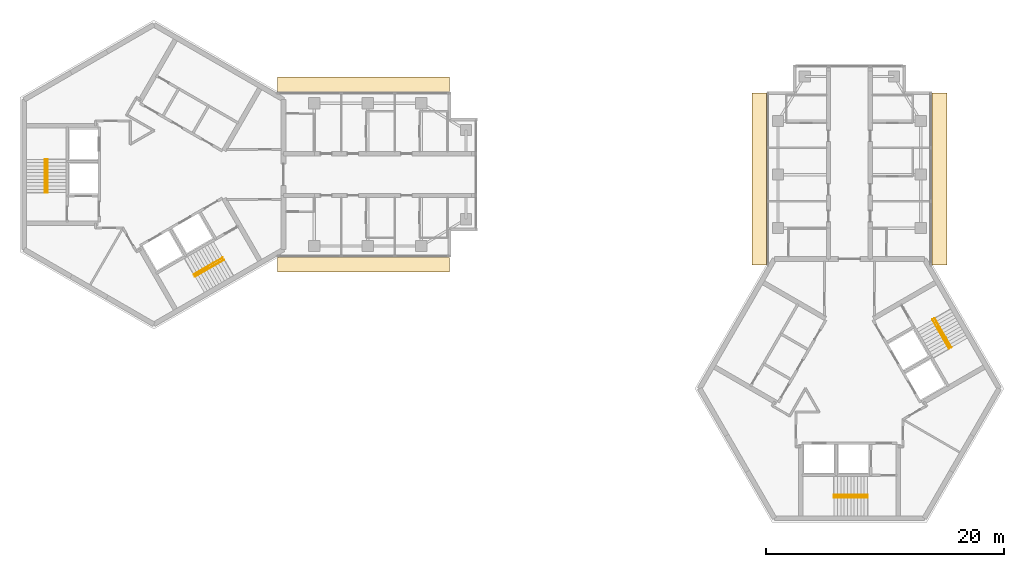
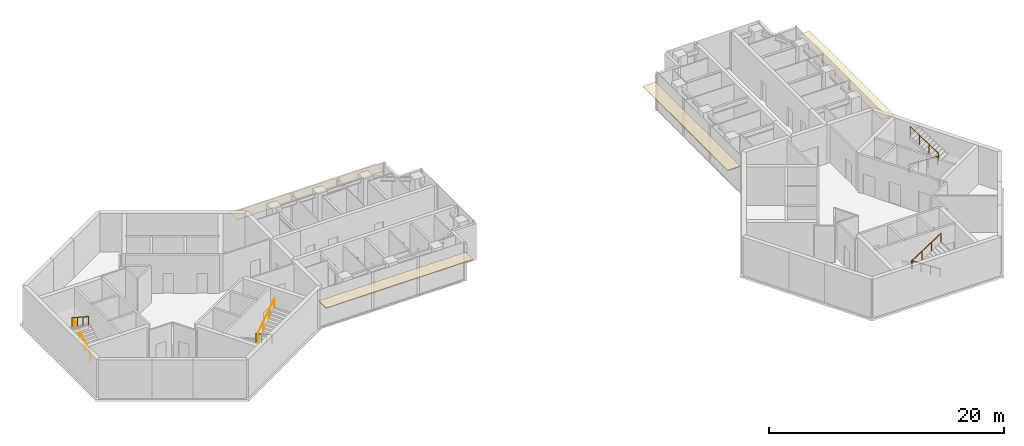
# One storey, part 11 of 11: 8 railings, 4 coverings.
"""IFC4 building model written with IfcOpenShell, lengths in metres."""

import ifcopenshell
import ifcopenshell.guid

model = None  # the IFC model being written
_history = None  # IfcOwnerHistory: only IFC2X3 demands one
_inside = {}  # id of a spatial element -> (the spatial element, [elements in it])
_under = {}  # id of a project, library or spatial element -> (it, [spatial elements below it])
_declared = {}  # id of a project -> (the project, [libraries it declares])
_typed = {}  # id of a type object -> (the type object, [elements of that type])
_made_of = {}  # id of a material, layer set ... -> (it, [elements and type objects made of it])


def new_model(schema):
    """Start an empty IFC model of exactly this schema.

    Asked for "IFC4X3", IfcOpenShell would pick the latest addendum, in which some entities
    have other attributes; the version numbers below select the first issue.
    IFC2X3 requires an IfcOwnerHistory on every rooted entity: one is made here for all.
    """
    global model, _history
    if schema == "IFC4X3":
        model = ifcopenshell.file(schema_version=(4, 3, 0, 0))
    else:
        model = ifcopenshell.file(schema=schema)
    _inside.clear()
    _under.clear()
    _declared.clear()
    _typed.clear()
    _made_of.clear()
    _history = None
    if model.schema == "IFC2X3":
        org = make("IfcOrganization", Name="unknown")
        user = make(
            "IfcPersonAndOrganization",
            ThePerson=make("IfcPerson", FamilyName="unknown"),
            TheOrganization=org,
        )
        app = make(
            "IfcApplication",
            ApplicationDeveloper=org,
            Version="unknown",
            ApplicationFullName="unknown",
            ApplicationIdentifier="unknown",
        )
        _history = make(
            "IfcOwnerHistory",
            OwningUser=user,
            OwningApplication=app,
            ChangeAction="ADDED",
            CreationDate=0,
        )
    return model


def make(cls, **values):
    """One entity of the class cls with the attributes given. An attribute that is None is left unset."""
    return model.create_entity(
        cls, **{name: value for name, value in values.items() if value is not None}
    )


def rooted(cls, **values):
    """An entity with a GlobalId (a new one), such as an element, a storey or a relation."""
    return make(cls, GlobalId=ifcopenshell.guid.new(), OwnerHistory=_history, **values)


def si_unit(unit_type, name, prefix=None):
    """IfcSIUnit, for example si_unit("LENGTHUNIT", "METRE", prefix="MILLI")."""
    return make("IfcSIUnit", UnitType=unit_type, Prefix=prefix, Name=name)


def assignment(units):
    """IfcUnitAssignment: the units of a project."""
    return None if units is None else make("IfcUnitAssignment", Units=units)


def point(xyz):
    """IfcCartesianPoint."""
    return None if xyz is None else make("IfcCartesianPoint", Coordinates=xyz)


def direction(xyz):
    """IfcDirection."""
    return None if xyz is None else make("IfcDirection", DirectionRatios=xyz)


def frame(location, z_axis=None, x_axis=None):
    """IfcAxis2Placement3D, a coordinate frame: its origin and axes. An axis left out is left unset."""
    return make(
        "IfcAxis2Placement3D",
        Location=point(location),
        Axis=direction(z_axis),
        RefDirection=direction(x_axis),
    )


def frame_2d(location, x_axis=None):
    """IfcAxis2Placement2D, a coordinate frame in the plane: its origin and x axis."""
    return make(
        "IfcAxis2Placement2D", Location=point(location), RefDirection=direction(x_axis)
    )


def origin():
    """The frame at (0, 0, 0) with its axes left unset."""
    return frame((0.0, 0.0, 0.0))


def origin_2d():
    """The frame at (0, 0) in the plane with its x axis left unset."""
    return frame_2d((0.0, 0.0))


def place(relative_to, where):
    """IfcLocalPlacement: puts the frame where relative to a parent placement (None: the world)."""
    return make(
        "IfcLocalPlacement", PlacementRelTo=relative_to, RelativePlacement=where
    )


def context(
    kind, dimensions, precision=None, world=None, true_north=None, identifier=None
):
    """IfcGeometricRepresentationContext, for example the 3D "Model" context."""
    return make(
        "IfcGeometricRepresentationContext",
        ContextIdentifier=identifier,
        ContextType=kind,
        CoordinateSpaceDimension=dimensions,
        Precision=precision,
        WorldCoordinateSystem=world,
        TrueNorth=true_north,
    )


def subcontext(parent, identifier, kind, view, scale=None):
    """IfcGeometricRepresentationSubContext, for example "Body" below "Model"."""
    return make(
        "IfcGeometricRepresentationSubContext",
        ContextIdentifier=identifier,
        ContextType=kind,
        ParentContext=parent,
        TargetScale=scale,
        TargetView=view,
    )


def project(units=None, contexts=None):
    """IfcProject with its units and contexts."""
    return rooted(
        "IfcProject",
        Name="project",
        RepresentationContexts=contexts,
        UnitsInContext=assignment(units),
    )


def spatial(cls, under=None, at=None, **own):
    """A site, building, storey or space (cls), placed at a placement, below another one or the project."""
    s = rooted(cls, ObjectPlacement=at, **own)
    if under is not None:
        _under.setdefault(under.id(), (under, []))[1].append(s)
    return s


def profile(cls, at=None, kind="AREA", **sizes):
    """A parametric profile (cls). Its sizes go by their IFC names, for example OverallWidth=200.0."""
    return make(cls, ProfileType=kind, Position=at, **sizes)


def rectangle(**sizes):
    """IfcRectangleProfileDef."""
    return profile("IfcRectangleProfileDef", **sizes)


def circle(**sizes):
    """IfcCircleProfileDef."""
    return profile("IfcCircleProfileDef", **sizes)


def extrude(swept, where, along, depth):
    """IfcExtrudedAreaSolid: the profile swept, set in the frame where, extruded along a direction by depth."""
    return make(
        "IfcExtrudedAreaSolid",
        SweptArea=swept,
        Position=where,
        ExtrudedDirection=direction(along),
        Depth=depth,
    )


def shape(context_of_items, identifier, shape_type, items):
    """IfcShapeRepresentation: the items that make up one representation, for example the "Body"."""
    return make(
        "IfcShapeRepresentation",
        ContextOfItems=context_of_items,
        RepresentationIdentifier=identifier,
        RepresentationType=shape_type,
        Items=items,
    )


def material(Name=None, Category=None):
    """IfcMaterial."""
    return make("IfcMaterial", Name=Name, Category=Category)


def layer(
    of_material, thickness, ventilated=None, Name=None, Category=None, Priority=None
):
    """IfcMaterialLayer: one layer of a wall or slab, of a material (None: an air gap)."""
    return make(
        "IfcMaterialLayer",
        Material=of_material,
        LayerThickness=thickness,
        IsVentilated=ventilated,
        Name=Name,
        Category=Category,
        Priority=Priority,
    )


def layer_set(layers, Name=None):
    """IfcMaterialLayerSet."""
    return make("IfcMaterialLayerSet", MaterialLayers=layers, LayerSetName=Name)


def made_of(thing, what):
    """Note that an element or type object is made of a material, layer set ...; save() writes the relation."""
    if what is not None:
        _made_of.setdefault(what.id(), (what, []))[1].append(thing)
    return thing


def type_object(cls, material=None, **own):
    """A type object (cls), such as IfcWallType, which elements share."""
    return made_of(rooted(cls, **own), material)


def element(
    cls,
    number,
    at=None,
    inside=None,
    cuts=None,
    type_object=None,
    material=None,
    context=None,
    identifier="Body",
    shape_type=None,
    held_by="IfcProductDefinitionShape",
    body=None,
    shapes=None,
    **own,
):
    """One element of the class cls, such as IfcWall. Its Tag is "e" and its number.

    at: its placement. inside: the storey or other place that contains it. cuts: it is an
    opening in that element (IfcRelVoidsElement). A single representation is given by context,
    identifier, shape_type and body (its items); several are given by shapes. held_by: the class
    of the entity that holds the representations. save() writes the other relations.
    """
    e = rooted(cls, Tag="e%d" % number, ObjectPlacement=at, **own)
    if body is not None:
        shapes = [shape(context, identifier, shape_type, body)]
    if shapes is not None:
        e.Representation = make(held_by, Representations=shapes)
    if inside is not None:
        _inside.setdefault(inside.id(), (inside, []))[1].append(e)
    if cuts is not None:
        rooted(
            "IfcRelVoidsElement", RelatingBuildingElement=cuts, RelatedOpeningElement=e
        )
    if type_object is not None:
        _typed.setdefault(type_object.id(), (type_object, []))[1].append(e)
    return made_of(e, material)


def aggregate(whole, parts):
    """IfcRelAggregates: a whole, such as a stair, and the parts it consists of."""
    return rooted("IfcRelAggregates", RelatingObject=whole, RelatedObjects=parts)


def save(model, path):
    """Write the relations noted so far, then the file.

    IfcRelAggregates (storeys below a building ...), IfcRelContainedInSpatialStructure (elements
    in a storey), IfcRelDefinesByType, IfcRelAssociatesMaterial and IfcRelDeclares: one each for
    every whole, place, type object, material and project.
    """
    for whole, parts in _under.values():
        aggregate(whole, parts)
    for where, things in _inside.values():
        rooted(
            "IfcRelContainedInSpatialStructure",
            RelatedElements=things,
            RelatingStructure=where,
        )
    for kind, things in _typed.values():
        rooted("IfcRelDefinesByType", RelatedObjects=things, RelatingType=kind)
    for what, things in _made_of.values():
        rooted("IfcRelAssociatesMaterial", RelatedObjects=things, RelatingMaterial=what)
    for by, libraries in _declared.values():
        rooted("IfcRelDeclares", RelatingContext=by, RelatedDefinitions=libraries)
    model.write(path)


model = new_model("IFC4")

# Units and contexts
model_context = context("Model", 3, precision=1e-05, world=origin(), true_north=direction((0.0, 1.0)))
body_context = subcontext(model_context, "Body", "Model", "MODEL_VIEW")
ifc_project = project(units=[si_unit("LENGTHUNIT", "METRE"), si_unit("AREAUNIT", "SQUARE_METRE"), si_unit("VOLUMEUNIT", "CUBIC_METRE"), si_unit("PLANEANGLEUNIT", "RADIAN"), si_unit("MASSUNIT", "GRAM", prefix="KILO")], contexts=[model_context])

# Site, building, storey
site_placement = place(None, origin())
site = spatial("IfcSite", under=ifc_project, at=site_placement, CompositionType="ELEMENT")
building_placement = place(site_placement, origin())
building = spatial("IfcBuilding", under=site, at=building_placement, Name="Upepo Twin Towers", CompositionType="ELEMENT")
storey_placement = place(building_placement, frame((0.0, 0.0, 283.5)))
storey = spatial("IfcBuildingStorey", under=building, at=storey_placement, Name="L69", CompositionType="ELEMENT", Elevation=283.5)

# Coverings
ifc_material_1 = material(Name="Anodised aluminium, pale silver", Category="aluminium")
ifc_layer = layer(ifc_material_1, 0.080078125)
ifc_layer_set = layer_set([ifc_layer], Name="Brise-soleil blade 1250 pale aluminium")
covering_type = type_object("IfcCoveringType", Name="Brise-soleil blade 1250 pale aluminium", PredefinedType="USERDEFINED", material=ifc_layer_set)
for number, where, z_axis, x_axis, name in (
    (1, (17.61865234375, 7.590087890625, 2.909912109375), (0.0, 0.0, 1.0), (1.0, 0.0, 0.0), "T1 L69 wing A brise-soleil L"),
    (2, (17.61865234375, -7.590087890625, 2.909912109375), (0.0, 0.0, 1.0), (1.0, 0.0, 0.0), "T1 L69 wing A brise-soleil R"),
    (3, (50.909912109375, -0.38134765625, 2.909912109375), (0.0, 0.0, 1.0), (0.0, 1.0, 0.0), "T2 L69 wing A brise-soleil L"),
    (4, (66.090087890625, -0.38134765625, 2.909912109375), (0.0, 0.0, 1.0), (0.0, 1.0, 0.0), "T2 L69 wing A brise-soleil R"),
):
    element("IfcCovering", number, at=place(storey_placement, frame(where, z_axis=z_axis, x_axis=x_axis)), inside=storey, type_object=covering_type, Name=name, ObjectType="SUNSHADE", PredefinedType="USERDEFINED", context=body_context, shape_type="SweptSolid", body=[
        extrude(rectangle(XDim=14.462890625, YDim=1.25, at=origin_2d()), origin(), (0.0, 0.0, 1.0), 0.080078125),
    ])

# Railings
ifc_material_2 = material(Name="Stainless steel", Category="steel")
railing_type = type_object("IfcRailingType", Name="Stair handrail 900", PredefinedType="HANDRAIL", material=ifc_material_2)
railing_1_placement = place(storey_placement, frame((-8.949951171875, -1.52001953125, 0.181884765625)))
element("IfcRailing", 5, at=railing_1_placement, inside=storey, type_object=railing_type, Name="T1 stair S1 L69 handrail 1", PredefinedType="HANDRAIL", context=body_context, shape_type="SweptSolid", body=[
    extrude(circle(Radius=0.02392578125, at=origin_2d()), frame((0.0, 0.0, 0.8759765625), z_axis=(0.0, 0.838705829183, 0.544584733623), x_axis=(-1.0, 0.0, 0.0)), (0.0, 0.0, 1.0), 3.338623046875),
    extrude(circle(Radius=0.02099609375, at=origin_2d()), origin(), (0.0, 0.0, 1.0), 0.851806640625),
    extrude(circle(Radius=0.02099609375, at=origin_2d()), frame((0.0, 0.933349609375, 0.60595703125)), (0.0, 0.0, 1.0), 0.851806640625),
    extrude(circle(Radius=0.02099609375, at=origin_2d()), frame((0.0, 1.86669921875, 1.212158203125)), (0.0, 0.0, 1.0), 0.851806640625),
    extrude(circle(Radius=0.02099609375, at=origin_2d()), frame((0.0, 2.800048828125, 1.818115234375)), (0.0, 0.0, 1.0), 0.851806640625),
])
railing_2_placement = place(storey_placement, frame((-9.158447265625, 1.280029296875, 2.181884765625)))
element("IfcRailing", 6, at=railing_2_placement, inside=storey, type_object=railing_type, Name="T1 stair S1 L69 handrail 2", PredefinedType="HANDRAIL", context=body_context, shape_type="SweptSolid", body=[
    extrude(circle(Radius=0.02392578125, at=origin_2d()), frame((0.0, 0.0, 0.8759765625), z_axis=(0.0, -0.838705829183, 0.544584733623), x_axis=(1.0, 0.0, 0.0)), (0.0, 0.0, 1.0), 3.338623046875),
    extrude(circle(Radius=0.02099609375, at=origin_2d()), origin(), (0.0, 0.0, 1.0), 0.851806640625),
    extrude(circle(Radius=0.02099609375, at=origin_2d()), frame((0.0, -0.933349609375, 0.60595703125)), (0.0, 0.0, 1.0), 0.851806640625),
    extrude(circle(Radius=0.02099609375, at=origin_2d()), frame((0.0, -1.86669921875, 1.212158203125)), (0.0, 0.0, 1.0), 0.851806640625),
    extrude(circle(Radius=0.02099609375, at=origin_2d()), frame((0.0, -2.800048828125, 1.818115234375)), (0.0, 0.0, 1.0), 0.851806640625),
])
railing_3_placement = place(storey_placement, frame((5.791259765625, -6.990966796875, 0.181884765625)))
element("IfcRailing", 7, at=railing_3_placement, inside=storey, type_object=railing_type, Name="T1 stair S2 L69 handrail 1", PredefinedType="HANDRAIL", context=body_context, shape_type="SweptSolid", body=[
    extrude(circle(Radius=0.02392578125, at=origin_2d()), frame((0.0, 0.0, 0.8759765625), z_axis=(-0.726336304947, -0.419332699614, 0.544605966869), x_axis=(0.49998411664, -0.866034573852, 0.0)), (0.0, 0.0, 1.0), 3.33837890625),
    extrude(circle(Radius=0.02099609375, at=origin_2d()), origin(), (0.0, 0.0, 1.0), 0.851806640625),
    extrude(circle(Radius=0.02099609375, at=origin_2d()), frame((-0.808349609375, -0.466552734375, 0.60595703125)), (0.0, 0.0, 1.0), 0.851806640625),
    extrude(circle(Radius=0.02099609375, at=origin_2d()), frame((-1.616455078125, -0.933349609375, 1.212158203125)), (0.0, 0.0, 1.0), 0.851806640625),
    extrude(circle(Radius=0.02099609375, at=origin_2d()), frame((-2.4248046875, -1.39990234375, 1.818115234375)), (0.0, 0.0, 1.0), 0.851806640625),
])
railing_4_placement = place(storey_placement, frame((3.470703125, -8.5712890625, 2.181884765625)))
element("IfcRailing", 8, at=railing_4_placement, inside=storey, type_object=railing_type, Name="T1 stair S2 L69 handrail 2", PredefinedType="HANDRAIL", context=body_context, shape_type="SweptSolid", body=[
    extrude(circle(Radius=0.02392578125, at=origin_2d()), frame((0.0, 0.0, 0.8759765625), z_axis=(0.726336304947, 0.419332699614, 0.544605966869), x_axis=(-0.49998411664, 0.866034573852, 0.0)), (0.0, 0.0, 1.0), 3.33837890625),
    extrude(circle(Radius=0.02099609375, at=origin_2d()), origin(), (0.0, 0.0, 1.0), 0.851806640625),
    extrude(circle(Radius=0.02099609375, at=origin_2d()), frame((0.808349609375, 0.466552734375, 0.60595703125)), (0.0, 0.0, 1.0), 0.851806640625),
    extrude(circle(Radius=0.02099609375, at=origin_2d()), frame((1.616455078125, 0.933349609375, 1.212158203125)), (0.0, 0.0, 1.0), 0.851806640625),
    extrude(circle(Radius=0.02099609375, at=origin_2d()), frame((2.4248046875, 1.39990234375, 1.818115234375)), (0.0, 0.0, 1.0), 0.851806640625),
])
railing_5_placement = place(storey_placement, frame((60.02001953125, -26.949951171875, 0.181884765625)))
element("IfcRailing", 9, at=railing_5_placement, inside=storey, type_object=railing_type, Name="T2 stair S1 L69 handrail 1", PredefinedType="HANDRAIL", context=body_context, shape_type="SweptSolid", body=[
    extrude(circle(Radius=0.02392578125, at=origin_2d()), frame((0.0, 0.0, 0.8759765625), z_axis=(-0.838705829183, 0.0, 0.544584733623), x_axis=(0.0, -1.0, 0.0)), (0.0, 0.0, 1.0), 3.338623046875),
    extrude(circle(Radius=0.02099609375, at=origin_2d()), origin(), (0.0, 0.0, 1.0), 0.851806640625),
    extrude(circle(Radius=0.02099609375, at=origin_2d()), frame((-0.933349609375, 0.0, 0.60595703125)), (0.0, 0.0, 1.0), 0.851806640625),
    extrude(circle(Radius=0.02099609375, at=origin_2d()), frame((-1.86669921875, 0.0, 1.212158203125)), (0.0, 0.0, 1.0), 0.851806640625),
    extrude(circle(Radius=0.02099609375, at=origin_2d()), frame((-2.800048828125, 0.0, 1.818115234375)), (0.0, 0.0, 1.0), 0.851806640625),
])
railing_6_placement = place(storey_placement, frame((57.219970703125, -27.158447265625, 2.181884765625)))
element("IfcRailing", 10, at=railing_6_placement, inside=storey, type_object=railing_type, Name="T2 stair S1 L69 handrail 2", PredefinedType="HANDRAIL", context=body_context, shape_type="SweptSolid", body=[
    extrude(circle(Radius=0.02392578125, at=origin_2d()), frame((0.0, 0.0, 0.8759765625), z_axis=(0.838705829183, 0.0, 0.544584733623), x_axis=(0.0, 1.0, 0.0)), (0.0, 0.0, 1.0), 3.338623046875),
    extrude(circle(Radius=0.02099609375, at=origin_2d()), origin(), (0.0, 0.0, 1.0), 0.851806640625),
    extrude(circle(Radius=0.02099609375, at=origin_2d()), frame((0.933349609375, 0.0, 0.60595703125)), (0.0, 0.0, 1.0), 0.851806640625),
    extrude(circle(Radius=0.02099609375, at=origin_2d()), frame((1.86669921875, 0.0, 1.212158203125)), (0.0, 0.0, 1.0), 0.851806640625),
    extrude(circle(Radius=0.02099609375, at=origin_2d()), frame((2.800048828125, 0.0, 1.818115234375)), (0.0, 0.0, 1.0), 0.851806640625),
])
railing_7_placement = place(storey_placement, frame((65.490966796875, -12.208740234375, 0.181884765625)))
element("IfcRailing", 11, at=railing_7_placement, inside=storey, type_object=railing_type, Name="T2 stair S2 L69 handrail 1", PredefinedType="HANDRAIL", context=body_context, shape_type="SweptSolid", body=[
    extrude(circle(Radius=0.02392578125, at=origin_2d()), frame((0.0, 0.0, 0.8759765625), z_axis=(0.419332699614, -0.726336304947, 0.544605966869), x_axis=(0.866034573852, 0.49998411664, 0.0)), (0.0, 0.0, 1.0), 3.33837890625),
    extrude(circle(Radius=0.02099609375, at=origin_2d()), origin(), (0.0, 0.0, 1.0), 0.851806640625),
    extrude(circle(Radius=0.02099609375, at=origin_2d()), frame((0.466552734375, -0.808349609375, 0.60595703125)), (0.0, 0.0, 1.0), 0.851806640625),
    extrude(circle(Radius=0.02099609375, at=origin_2d()), frame((0.933349609375, -1.616455078125, 1.212158203125)), (0.0, 0.0, 1.0), 0.851806640625),
    extrude(circle(Radius=0.02099609375, at=origin_2d()), frame((1.39990234375, -2.4248046875, 1.818115234375)), (0.0, 0.0, 1.0), 0.851806640625),
])
railing_8_placement = place(storey_placement, frame((67.0712890625, -14.529296875, 2.181884765625)))
element("IfcRailing", 12, at=railing_8_placement, inside=storey, type_object=railing_type, Name="T2 stair S2 L69 handrail 2", PredefinedType="HANDRAIL", context=body_context, shape_type="SweptSolid", body=[
    extrude(circle(Radius=0.02392578125, at=origin_2d()), frame((0.0, 0.0, 0.8759765625), z_axis=(-0.419332699614, 0.726336304947, 0.544605966869), x_axis=(-0.866034573852, -0.49998411664, 0.0)), (0.0, 0.0, 1.0), 3.33837890625),
    extrude(circle(Radius=0.02099609375, at=origin_2d()), origin(), (0.0, 0.0, 1.0), 0.851806640625),
    extrude(circle(Radius=0.02099609375, at=origin_2d()), frame((-0.466552734375, 0.808349609375, 0.60595703125)), (0.0, 0.0, 1.0), 0.851806640625),
    extrude(circle(Radius=0.02099609375, at=origin_2d()), frame((-0.933349609375, 1.616455078125, 1.212158203125)), (0.0, 0.0, 1.0), 0.851806640625),
    extrude(circle(Radius=0.02099609375, at=origin_2d()), frame((-1.39990234375, 2.4248046875, 1.818115234375)), (0.0, 0.0, 1.0), 0.851806640625),
])

save(model, "model.ifc")
